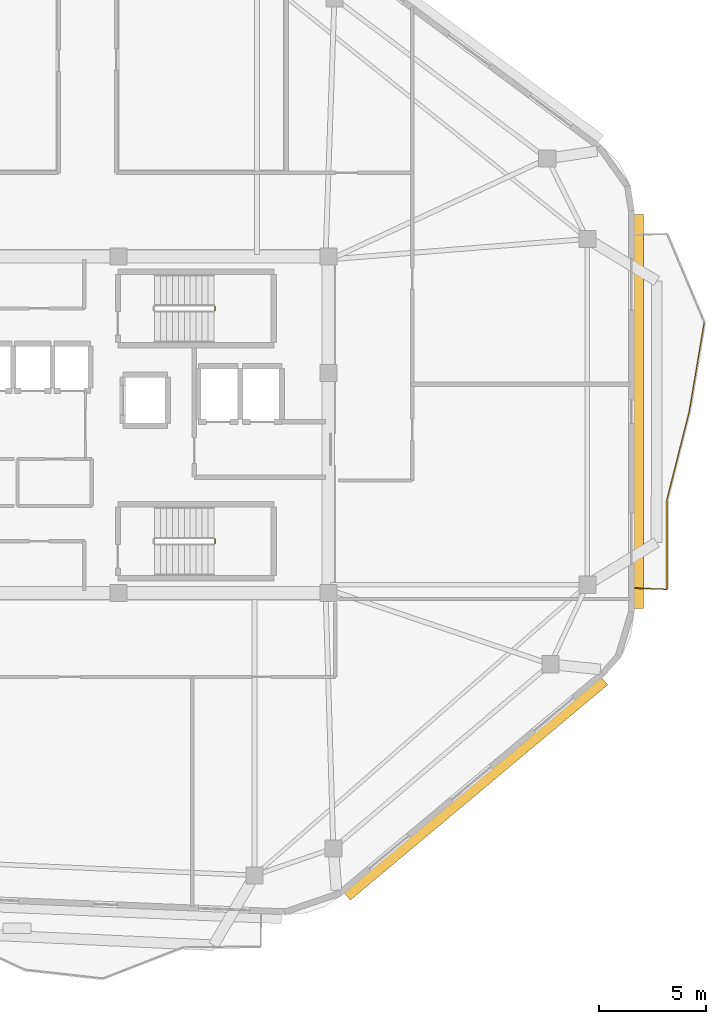
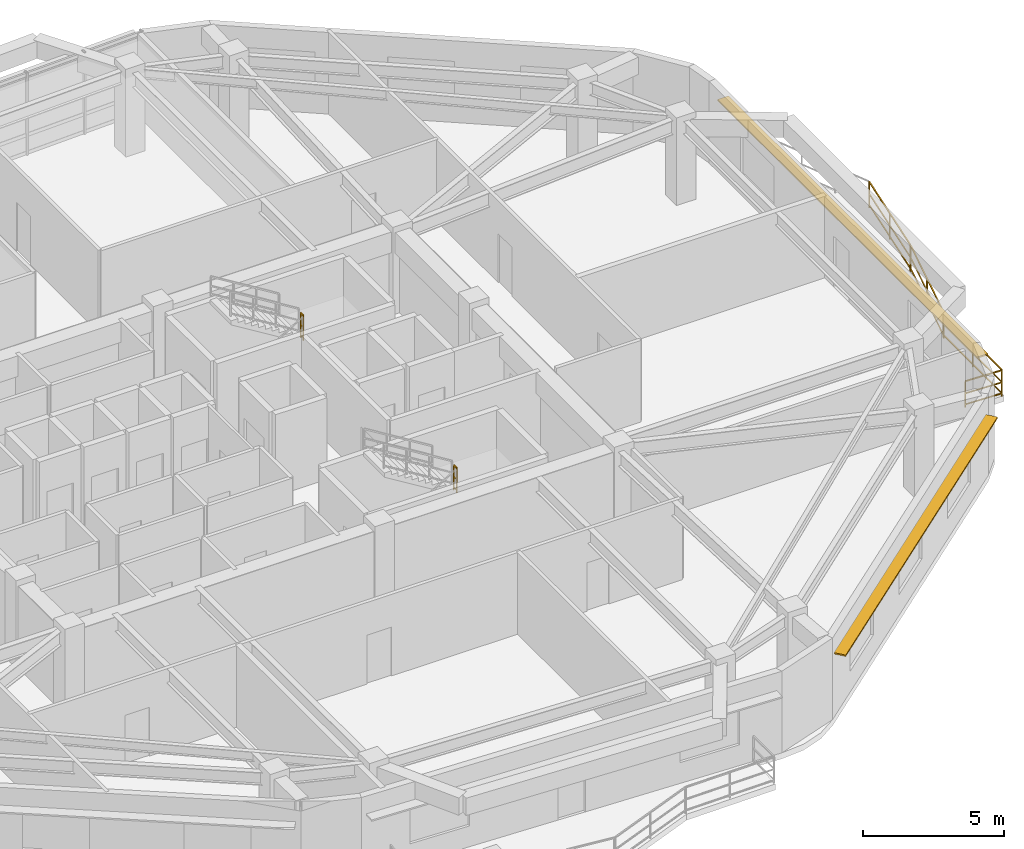
# One storey, part 11 of 12: 6 railings, 2 shading devices.
"""IFC4 building model written with IfcOpenShell, lengths in metres."""

from ifc_helpers import new_model, si_unit, direction, frame, origin, origin_2d, place, context, subcontext, project, spatial, rectangle, extrude, material, layer, layer_set, type_object, element, save


model = new_model("IFC4")

# Units and contexts
model_context = context("Model", 3, precision=1e-05, world=origin(), true_north=direction((0.0, 1.0)))
body_context = subcontext(model_context, "Body", "Model", "MODEL_VIEW")
ifc_project = project(units=[si_unit("LENGTHUNIT", "METRE"), si_unit("AREAUNIT", "SQUARE_METRE"), si_unit("VOLUMEUNIT", "CUBIC_METRE"), si_unit("PLANEANGLEUNIT", "RADIAN"), si_unit("MASSUNIT", "GRAM", prefix="KILO")], contexts=[model_context])

# Site, building, storey
site_placement = place(None, origin())
site = spatial("IfcSite", under=ifc_project, at=site_placement, CompositionType="ELEMENT")
building_placement = place(site_placement, origin())
building = spatial("IfcBuilding", under=site, at=building_placement, Name="Zulverin Broadcast Headquarters", CompositionType="ELEMENT")
storey_placement = place(building_placement, frame((0.0, 0.0, 293.39990234375)))
storey = spatial("IfcBuildingStorey", under=building, at=storey_placement, Name="L75", CompositionType="ELEMENT", Elevation=293.39990234375)

# Railings
ifc_material_1 = material(Name="Brushed stainless steel & laminated glass balustrade", Category="steel")
railing_type_1 = type_object("IfcRailingType", Name="RL-GUARD-1150", PredefinedType="GUARDRAIL", material=ifc_material_1)
railing_1_placement = place(storey_placement, frame((62.639892578125, 17.555419921875, 0.0)))
element("IfcRailing", 1, at=railing_1_placement, inside=storey, type_object=railing_type_1, Name="L75 Vertical-Forest Balcony Guardrail BAL_E Segment 01", PredefinedType="GUARDRAIL", context=body_context, shape_type="SweptSolid", body=[
    extrude(rectangle(XDim=0.048095703125, YDim=0.048095703125, at=origin_2d()), frame((0.0, 0.0, 1.1259765625), z_axis=(0.999181155166, -0.040460093435, 0.0), x_axis=(0.040460093435, 0.999181155166, 0.0)), (0.0, 0.0, 1.0), 1.46630859375),
    extrude(rectangle(XDim=0.0419921875, YDim=0.0419921875, at=origin_2d()), frame((0.0, 0.0, 0.597900390625), z_axis=(0.999181155166, -0.040460093435, 0.0), x_axis=(0.040460093435, 0.999181155166, 0.0)), (0.0, 0.0, 1.0), 1.46630859375),
    extrude(rectangle(XDim=0.0419921875, YDim=0.0419921875, at=origin_2d()), frame((0.0, 0.0, 0.1201171875), z_axis=(0.999181155166, -0.040460093435, 0.0), x_axis=(0.040460093435, 0.999181155166, 0.0)), (0.0, 0.0, 1.0), 1.46630859375),
    extrude(rectangle(XDim=0.0419921875, YDim=0.0419921875, at=origin_2d()), origin(), (0.0, 0.0, 1.0), 1.101806640625),
    extrude(rectangle(XDim=0.0419921875, YDim=0.0419921875, at=origin_2d()), frame((1.465087890625, -0.059326171875, 0.0)), (0.0, 0.0, 1.0), 1.101806640625),
])
railing_2_placement = place(storey_placement, frame((64.1201171875, 17.510498046875, 0.0)))
element("IfcRailing", 2, at=railing_2_placement, inside=storey, type_object=railing_type_1, Name="L75 Vertical-Forest Balcony Guardrail BAL_E Segment 02", PredefinedType="GUARDRAIL", context=body_context, shape_type="SweptSolid", body=[
    extrude(rectangle(XDim=0.048095703125, YDim=0.048095703125, at=origin_2d()), frame((0.0, 0.0, 1.1259765625), z_axis=(0.0, 1.0, 0.0), x_axis=(-1.0, 0.0, 0.0)), (0.0, 0.0, 1.0), 4.133544921875),
    extrude(rectangle(XDim=0.0419921875, YDim=0.0419921875, at=origin_2d()), frame((0.0, 0.0, 0.597900390625), z_axis=(0.0, 1.0, 0.0), x_axis=(-1.0, 0.0, 0.0)), (0.0, 0.0, 1.0), 4.133544921875),
    extrude(rectangle(XDim=0.0419921875, YDim=0.0419921875, at=origin_2d()), frame((0.0, 0.0, 0.1201171875), z_axis=(0.0, 1.0, 0.0), x_axis=(-1.0, 0.0, 0.0)), (0.0, 0.0, 1.0), 4.133544921875),
    extrude(rectangle(XDim=0.0419921875, YDim=0.0419921875, at=origin_2d()), origin(), (0.0, 0.0, 1.0), 1.101806640625),
    extrude(rectangle(XDim=0.0419921875, YDim=0.0419921875, at=origin_2d()), frame((0.0, 2.06689453125, 0.0)), (0.0, 0.0, 1.0), 1.101806640625),
    extrude(rectangle(XDim=0.0419921875, YDim=0.0419921875, at=origin_2d()), frame((0.0, 4.133544921875, 0.0)), (0.0, 0.0, 1.0), 1.101806640625),
])
railing_3_placement = place(storey_placement, frame((64.123779296875, 21.673583984375, 0.0)))
element("IfcRailing", 3, at=railing_3_placement, inside=storey, type_object=railing_type_1, Name="L75 Vertical-Forest Balcony Guardrail BAL_E Segment 03", PredefinedType="GUARDRAIL", context=body_context, shape_type="SweptSolid", body=[
    extrude(rectangle(XDim=0.048095703125, YDim=0.048095703125, at=origin_2d()), frame((0.0, 0.0, 1.1259765625), z_axis=(0.245336068755, 0.96943809156, 0.0), x_axis=(-0.96943809156, 0.245336068755, 0.0)), (0.0, 0.0, 1.0), 4.26513671875),
    extrude(rectangle(XDim=0.0419921875, YDim=0.0419921875, at=origin_2d()), frame((0.0, 0.0, 0.597900390625), z_axis=(0.245336068755, 0.96943809156, 0.0), x_axis=(-0.96943809156, 0.245336068755, 0.0)), (0.0, 0.0, 1.0), 4.26513671875),
    extrude(rectangle(XDim=0.0419921875, YDim=0.0419921875, at=origin_2d()), frame((0.0, 0.0, 0.1201171875), z_axis=(0.245336068755, 0.96943809156, 0.0), x_axis=(-0.96943809156, 0.245336068755, 0.0)), (0.0, 0.0, 1.0), 4.26513671875),
    extrude(rectangle(XDim=0.0419921875, YDim=0.0419921875, at=origin_2d()), origin(), (0.0, 0.0, 1.0), 1.101806640625),
    extrude(rectangle(XDim=0.0419921875, YDim=0.0419921875, at=origin_2d()), frame((0.523193359375, 2.0673828125, 0.0)), (0.0, 0.0, 1.0), 1.101806640625),
    extrude(rectangle(XDim=0.0419921875, YDim=0.0419921875, at=origin_2d()), frame((1.04638671875, 4.134765625, 0.0)), (0.0, 0.0, 1.0), 1.101806640625),
])
railing_4_placement = place(storey_placement, frame((65.17626953125, 25.837646484375, 0.0)))
element("IfcRailing", 4, at=railing_4_placement, inside=storey, type_object=railing_type_1, Name="L75 Vertical-Forest Balcony Guardrail BAL_E Segment 04", PredefinedType="GUARDRAIL", context=body_context, shape_type="SweptSolid", body=[
    extrude(rectangle(XDim=0.048095703125, YDim=0.048095703125, at=origin_2d()), frame((0.0, 0.0, 1.1259765625), z_axis=(0.16586263342, 0.986148866467, 0.0), x_axis=(-0.986148866467, 0.16586263342, 0.0)), (0.0, 0.0, 1.0), 4.192138671875),
    extrude(rectangle(XDim=0.0419921875, YDim=0.0419921875, at=origin_2d()), frame((0.0, 0.0, 0.597900390625), z_axis=(0.16586263342, 0.986148866467, 0.0), x_axis=(-0.986148866467, 0.16586263342, 0.0)), (0.0, 0.0, 1.0), 4.192138671875),
    extrude(rectangle(XDim=0.0419921875, YDim=0.0419921875, at=origin_2d()), frame((0.0, 0.0, 0.1201171875), z_axis=(0.16586263342, 0.986148866467, 0.0), x_axis=(-0.986148866467, 0.16586263342, 0.0)), (0.0, 0.0, 1.0), 4.192138671875),
    extrude(rectangle(XDim=0.0419921875, YDim=0.0419921875, at=origin_2d()), origin(), (0.0, 0.0, 1.0), 1.101806640625),
    extrude(rectangle(XDim=0.0419921875, YDim=0.0419921875, at=origin_2d()), frame((0.34765625, 2.06689453125, 0.0)), (0.0, 0.0, 1.0), 1.101806640625),
    extrude(rectangle(XDim=0.0419921875, YDim=0.0419921875, at=origin_2d()), frame((0.6953125, 4.134033203125, 0.0)), (0.0, 0.0, 1.0), 1.101806640625),
])
ifc_material_2 = material(Name="Painted galvanized steel tubular guardrail S355JR", Category="steel")
railing_type_2 = type_object("IfcRailingType", Name="RL-ST-GUARD", PredefinedType="GUARDRAIL", material=ifc_material_2)
railing_5_placement = place(storey_placement, frame((42.97998046875, 30.550048828125, 1.900146484375)))
element("IfcRailing", 5, at=railing_5_placement, inside=storey, type_object=railing_type_2, Name="L75 ST-1 stair guard 2", PredefinedType="GUARDRAIL", context=body_context, shape_type="SweptSolid", body=[
    extrude(rectangle(XDim=0.048095703125, YDim=0.048095703125, at=origin_2d()), frame((0.0, 0.0, 1.076171875), z_axis=(0.0, 1.0, 0.0), x_axis=(-1.0, 0.0, 0.0)), (0.0, 0.0, 1.0), 0.199951171875),
    extrude(rectangle(XDim=0.0419921875, YDim=0.0419921875, at=origin_2d()), frame((0.0, 0.0, 0.572021484375), z_axis=(0.0, 1.0, 0.0), x_axis=(-1.0, 0.0, 0.0)), (0.0, 0.0, 1.0), 0.199951171875),
    extrude(rectangle(XDim=0.0419921875, YDim=0.0419921875, at=origin_2d()), frame((0.0, 0.0, 0.1201171875), z_axis=(0.0, 1.0, 0.0), x_axis=(-1.0, 0.0, 0.0)), (0.0, 0.0, 1.0), 0.199951171875),
    extrude(rectangle(XDim=0.0419921875, YDim=0.0419921875, at=origin_2d()), origin(), (0.0, 0.0, 1.0), 1.052001953125),
    extrude(rectangle(XDim=0.0419921875, YDim=0.0419921875, at=origin_2d()), frame((0.0, 0.199951171875, 0.0)), (0.0, 0.0, 1.0), 1.052001953125),
])
railing_6_placement = place(storey_placement, frame((42.97998046875, 19.64990234375, 1.900146484375)))
element("IfcRailing", 6, at=railing_6_placement, inside=storey, type_object=railing_type_2, Name="L75 ST-2 stair guard 2", PredefinedType="GUARDRAIL", context=body_context, shape_type="SweptSolid", body=[
    extrude(rectangle(XDim=0.048095703125, YDim=0.048095703125, at=origin_2d()), frame((0.0, 0.0, 1.076171875), z_axis=(0.0, 1.0, 0.0), x_axis=(-1.0, 0.0, 0.0)), (0.0, 0.0, 1.0), 0.2001953125),
    extrude(rectangle(XDim=0.0419921875, YDim=0.0419921875, at=origin_2d()), frame((0.0, 0.0, 0.572021484375), z_axis=(0.0, 1.0, 0.0), x_axis=(-1.0, 0.0, 0.0)), (0.0, 0.0, 1.0), 0.2001953125),
    extrude(rectangle(XDim=0.0419921875, YDim=0.0419921875, at=origin_2d()), frame((0.0, 0.0, 0.1201171875), z_axis=(0.0, 1.0, 0.0), x_axis=(-1.0, 0.0, 0.0)), (0.0, 0.0, 1.0), 0.2001953125),
    extrude(rectangle(XDim=0.0419921875, YDim=0.0419921875, at=origin_2d()), origin(), (0.0, 0.0, 1.0), 1.052001953125),
    extrude(rectangle(XDim=0.0419921875, YDim=0.0419921875, at=origin_2d()), frame((0.0, 0.2001953125, 0.0)), (0.0, 0.0, 1.0), 1.052001953125),
])

# Shading devices
ifc_material_3 = material(Name="Anodized pale-metal aluminium sunshade", Category="aluminium")
ifc_layer = layer(ifc_material_3, 0.06005859375, Name="Anodized pale-metal aluminium sunshade", Category="aluminium")
ifc_layer_set = layer_set([ifc_layer], Name="Anodized pale-metal aluminium sunshade")
shading_device_type = type_object("IfcShadingDeviceType", Name="SS-01_PALE_METAL_ALUMINIUM_SUNSHADE", PredefinedType="USERDEFINED", material=ifc_layer_set)
shading_device_1_placement = place(storey_placement, frame((55.186767578125, 8.158203125, 2.7099609375), z_axis=(0.0, 0.0, 1.0), x_axis=(0.76703526936, 0.641604937292, 0.0)))
element("IfcShadingDevice", 7, at=shading_device_1_placement, inside=storey, type_object=shading_device_type, Name="L75 Horizontal Pale-Metal Sunshade Band 2", ObjectType="SUNSHADE", PredefinedType="USERDEFINED", context=body_context, shape_type="SweptSolid", body=[
    extrude(rectangle(XDim=15.71337890625, YDim=0.449951171875, at=origin_2d()), origin(), (0.0, 0.0, 1.0), 0.06005859375),
])
shading_device_2_placement = place(storey_placement, frame((62.800048828125, 25.82275390625, 2.7099609375), z_axis=(0.0, 0.0, 1.0), x_axis=(0.0, 1.0, 0.0)))
element("IfcShadingDevice", 8, at=shading_device_2_placement, inside=storey, type_object=shading_device_type, Name="L75 Horizontal Pale-Metal Sunshade Band 3", ObjectType="SUNSHADE", PredefinedType="USERDEFINED", context=body_context, shape_type="SweptSolid", body=[
    extrude(rectangle(XDim=18.45458984375, YDim=0.449951171875, at=origin_2d()), origin(), (0.0, 0.0, 1.0), 0.06005859375),
])

save(model, "model.ifc")
